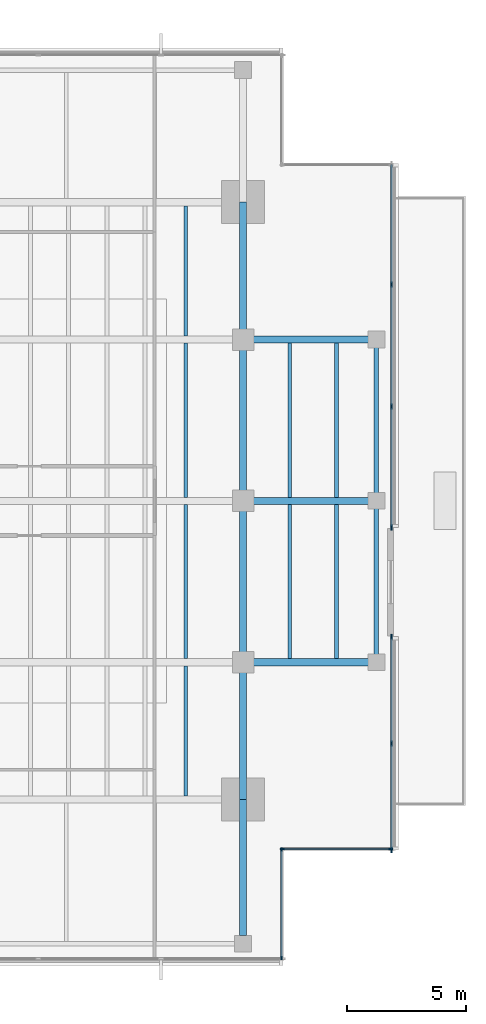
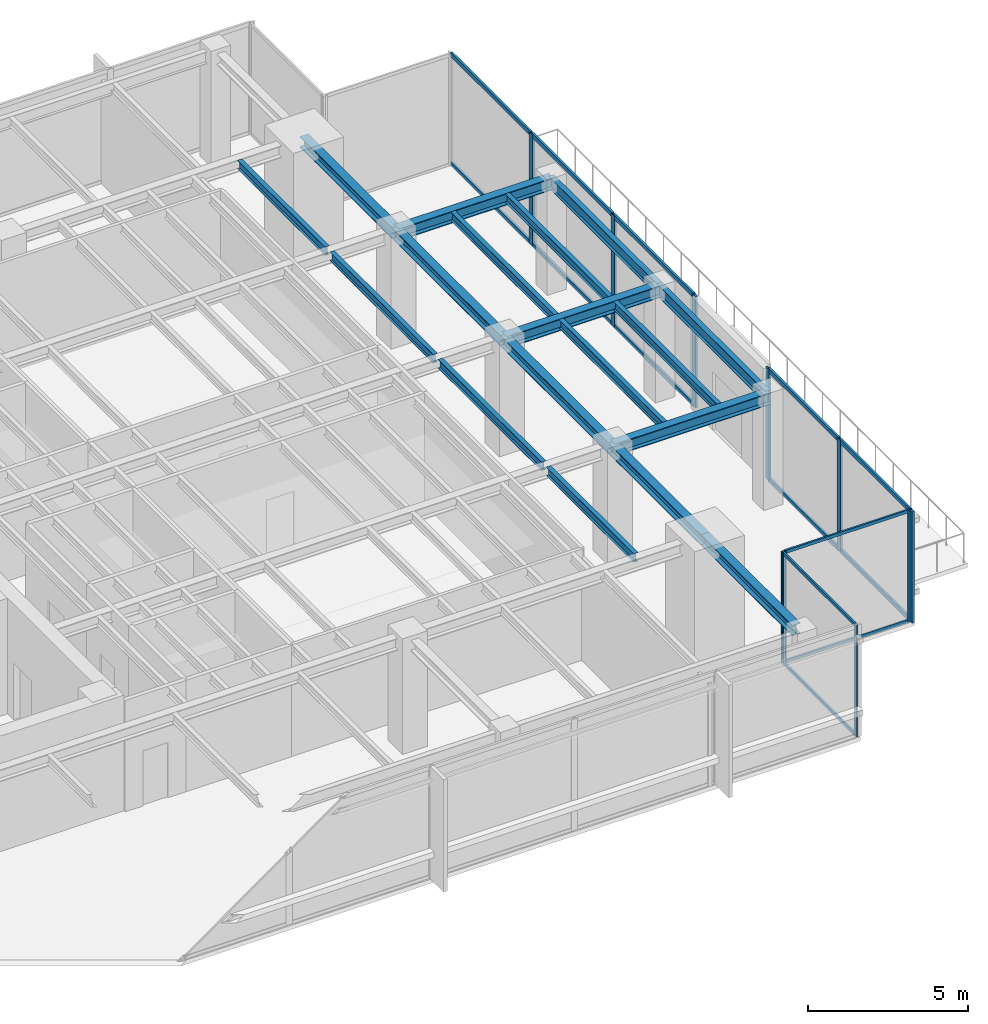
# One storey, part 4 of 14: 24 members, 18 beams, 4 elements without a shape of their own.
"""IFC4 building model written with IfcOpenShell, lengths in metres."""

from ifc_helpers import new_model, si_unit, direction, frame, origin, origin_2d, place, context, subcontext, project, spatial, rectangle, i_section, extrude, material, layer, layer_set, material_profile, profile_set, type_object, element, aggregate, save


model = new_model("IFC4")

# Units and contexts
model_context = context("Model", 3, precision=1e-05, world=origin(), true_north=direction((0.0, 1.0)))
body_context = subcontext(model_context, "Body", "Model", "MODEL_VIEW")
ifc_project = project(units=[si_unit("LENGTHUNIT", "METRE"), si_unit("AREAUNIT", "SQUARE_METRE"), si_unit("VOLUMEUNIT", "CUBIC_METRE"), si_unit("PLANEANGLEUNIT", "RADIAN"), si_unit("MASSUNIT", "GRAM", prefix="KILO")], contexts=[model_context])

# Site, building, storey
site_placement = place(None, origin())
site = spatial("IfcSite", under=ifc_project, at=site_placement, CompositionType="ELEMENT")
building_placement = place(site_placement, origin())
building = spatial("IfcBuilding", under=site, at=building_placement, Name="Kinhvarn Gate Tower", CompositionType="ELEMENT")
storey_placement = place(building_placement, frame((0.0, 0.0, 244.85009765625)))
storey = spatial("IfcBuildingStorey", under=building, at=storey_placement, Name="L65", CompositionType="ELEMENT", Elevation=244.85009765625)

# Curtain wall, members
ifc_material_1 = material(Name="Anodised aluminium AW-6063", Category="aluminium")
ifc_layer_1 = layer(ifc_material_1, 0.179931640625)
ifc_layer_set_1 = layer_set([ifc_layer_1], Name="Anodised aluminium AW-6063")
curtain_wall_type_1 = type_object("IfcCurtainWallType", Name="CW-SYS-4", PredefinedType="NOTDEFINED", material=ifc_layer_set_1)
curtain_wall_1_placement = place(storey_placement, origin())
curtain_wall_1 = element("IfcCurtainWall", 1, at=curtain_wall_1_placement, inside=storey, type_object=curtain_wall_type_1, Name="Curtain Wall CW4 (L65)", PredefinedType="NOTDEFINED")
ifc_material_profile_1 = material_profile(ifc_material_1, rectangle(XDim=0.06494140625, YDim=0.159912109375, at=origin_2d()), Name="ALU 65x160")
ifc_profile_set_1 = profile_set([ifc_material_profile_1], Name="Anodised aluminium AW-6063")
member_type_1 = type_object("IfcMemberType", Name="CW-MUL-160", PredefinedType="MULLION", material=ifc_profile_set_1)
member_1_placement = place(storey_placement, frame((39.81005859375, 6.12255859375, 0.0), z_axis=(0.0, 0.0, 1.0), x_axis=(-1.0, 0.0, 0.0)))
member_1 = element("IfcMember", 2, at=member_1_placement, type_object=member_type_1, Name="CW4 mullion 1", PredefinedType="MULLION", context=body_context, shape_type="SweptSolid", body=[
    extrude(rectangle(XDim=0.06494140625, YDim=0.159912109375, at=origin_2d()), origin(), (0.0, 0.0, 1.0), 4.239990234375),
])
member_2_placement = place(storey_placement, frame((39.81005859375, 10.657470703125, 0.0), z_axis=(0.0, 0.0, 1.0), x_axis=(-1.0, 0.0, 0.0)))
member_2 = element("IfcMember", 3, at=member_2_placement, type_object=member_type_1, Name="CW4 mullion 2", PredefinedType="MULLION", context=body_context, shape_type="SweptSolid", body=[
    extrude(rectangle(XDim=0.06494140625, YDim=0.159912109375, at=origin_2d()), origin(), (0.0, 0.0, 1.0), 4.239990234375),
])

curtain_wall_2_placement = place(storey_placement, origin())
curtain_wall_2 = element("IfcCurtainWall", 4, at=curtain_wall_2_placement, inside=storey, type_object=curtain_wall_type_1, Name="Curtain Wall CW4 (L65)", PredefinedType="NOTDEFINED")
member_3_placement = place(storey_placement, frame((39.842529296875, 10.68994140625, 0.0), z_axis=(0.0, 0.0, 1.0), x_axis=(0.0, 1.0, 0.0)))
member_3 = element("IfcMember", 5, at=member_3_placement, type_object=member_type_1, Name="CW4 mullion 1", PredefinedType="MULLION", context=body_context, shape_type="SweptSolid", body=[
    extrude(rectangle(XDim=0.06494140625, YDim=0.159912109375, at=origin_2d()), origin(), (0.0, 0.0, 1.0), 4.239990234375),
])
member_4_placement = place(storey_placement, frame((44.37744140625, 10.68994140625, 0.0), z_axis=(0.0, 0.0, 1.0), x_axis=(0.0, 1.0, 0.0)))
member_4 = element("IfcMember", 6, at=member_4_placement, type_object=member_type_1, Name="CW4 mullion 2", PredefinedType="MULLION", context=body_context, shape_type="SweptSolid", body=[
    extrude(rectangle(XDim=0.06494140625, YDim=0.159912109375, at=origin_2d()), origin(), (0.0, 0.0, 1.0), 4.239990234375),
])

ifc_layer_2 = layer(ifc_material_1, 0.219970703125)
ifc_layer_set_2 = layer_set([ifc_layer_2], Name="Anodised aluminium AW-6063")
curtain_wall_type_2 = type_object("IfcCurtainWallType", Name="CW-SYS-5", PredefinedType="NOTDEFINED", material=ifc_layer_set_2)
curtain_wall_3_placement = place(storey_placement, origin())
curtain_wall_3 = element("IfcCurtainWall", 7, at=curtain_wall_3_placement, inside=storey, type_object=curtain_wall_type_2, Name="Curtain Wall CW5 (L65)", PredefinedType="NOTDEFINED")
ifc_material_profile_2 = material_profile(ifc_material_1, rectangle(XDim=0.080078125, YDim=0.219970703125, at=origin_2d()), Name="ALU 80x220")
ifc_profile_set_2 = profile_set([ifc_material_profile_2], Name="Anodised aluminium AW-6063")
member_type_2 = type_object("IfcMemberType", Name="CW-MUL-220", PredefinedType="MULLION", material=ifc_profile_set_2)
member_5_placement = place(storey_placement, frame((44.409912109375, 10.639892578125, 0.0), z_axis=(0.0, 0.0, 1.0), x_axis=(-1.0, 0.0, 0.0)))
member_5 = element("IfcMember", 8, at=member_5_placement, type_object=member_type_2, Name="CW5 mullion 1", PredefinedType="MULLION", context=body_context, shape_type="SweptSolid", body=[
    extrude(rectangle(XDim=0.080078125, YDim=0.219970703125, at=origin_2d()), origin(), (0.0, 0.0, 1.0), 4.239990234375),
])
member_6_placement = place(storey_placement, frame((44.409912109375, 15.10009765625, 0.0), z_axis=(0.0, 0.0, 1.0), x_axis=(-1.0, 0.0, 0.0)))
member_6 = element("IfcMember", 9, at=member_6_placement, type_object=member_type_2, Name="CW5 mullion 2", PredefinedType="MULLION", context=body_context, shape_type="SweptSolid", body=[
    extrude(rectangle(XDim=0.080078125, YDim=0.219970703125, at=origin_2d()), origin(), (0.0, 0.0, 1.0), 4.239990234375),
])
member_7_placement = place(storey_placement, frame((44.409912109375, 19.56005859375, 0.0), z_axis=(0.0, 0.0, 1.0), x_axis=(-1.0, 0.0, 0.0)))
member_7 = element("IfcMember", 10, at=member_7_placement, type_object=member_type_2, Name="CW5 mullion 3", PredefinedType="MULLION", context=body_context, shape_type="SweptSolid", body=[
    extrude(rectangle(XDim=0.080078125, YDim=0.219970703125, at=origin_2d()), origin(), (0.0, 0.0, 1.0), 4.239990234375),
])

curtain_wall_4_placement = place(storey_placement, origin())
curtain_wall_4 = element("IfcCurtainWall", 11, at=curtain_wall_4_placement, inside=storey, type_object=curtain_wall_type_2, Name="Curtain Wall CW5 (L65)", PredefinedType="NOTDEFINED")
member_8_placement = place(storey_placement, frame((44.409912109375, 24.139892578125, 0.0), z_axis=(0.0, 0.0, 1.0), x_axis=(-1.0, 0.0, 0.0)))
member_8 = element("IfcMember", 12, at=member_8_placement, type_object=member_type_2, Name="CW5 mullion 1", PredefinedType="MULLION", context=body_context, shape_type="SweptSolid", body=[
    extrude(rectangle(XDim=0.080078125, YDim=0.219970703125, at=origin_2d()), origin(), (0.0, 0.0, 1.0), 4.239990234375),
])
member_9_placement = place(storey_placement, frame((44.409912109375, 29.199951171875, 0.0), z_axis=(0.0, 0.0, 1.0), x_axis=(-1.0, 0.0, 0.0)))
member_9 = element("IfcMember", 13, at=member_9_placement, type_object=member_type_2, Name="CW5 mullion 2", PredefinedType="MULLION", context=body_context, shape_type="SweptSolid", body=[
    extrude(rectangle(XDim=0.080078125, YDim=0.219970703125, at=origin_2d()), origin(), (0.0, 0.0, 1.0), 4.239990234375),
])
member_10_placement = place(storey_placement, frame((44.409912109375, 34.300048828125, 0.0), z_axis=(0.0, 0.0, 1.0), x_axis=(-1.0, 0.0, 0.0)))
member_10 = element("IfcMember", 14, at=member_10_placement, type_object=member_type_2, Name="CW5 mullion 3", PredefinedType="MULLION", context=body_context, shape_type="SweptSolid", body=[
    extrude(rectangle(XDim=0.080078125, YDim=0.219970703125, at=origin_2d()), origin(), (0.0, 0.0, 1.0), 4.239990234375),
])

# Member
ifc_material_profile_3 = material_profile(ifc_material_1, rectangle(XDim=0.06494140625, YDim=0.1201171875, at=origin_2d()), Name="ALU 65x120")
ifc_profile_set_3 = profile_set([ifc_material_profile_3], Name="Anodised aluminium AW-6063")
member_type_3 = type_object("IfcMemberType", Name="CW-TRN-120", PredefinedType="USERDEFINED", material=ifc_profile_set_3)
member_11_placement = place(storey_placement, frame((39.81005859375, 6.155029296875, 0.032470703125), z_axis=(0.0, 1.0, 0.0), x_axis=(-1.0, 0.0, 0.0)))
member_11 = element("IfcMember", 15, at=member_11_placement, type_object=member_type_3, Name="CW4 transom 1.1", ObjectType="TRANSOM", PredefinedType="USERDEFINED", context=body_context, shape_type="SweptSolid", body=[
    extrude(rectangle(XDim=0.06494140625, YDim=0.1201171875, at=origin_2d()), origin(), (0.0, 0.0, 1.0), 4.469970703125),
])

member_12_placement = place(storey_placement, frame((39.81005859375, 6.155029296875, 4.20751953125), z_axis=(0.0, 1.0, 0.0), x_axis=(-1.0, 0.0, 0.0)))
member_12 = element("IfcMember", 16, at=member_12_placement, type_object=member_type_3, Name="CW4 transom 1.2", ObjectType="TRANSOM", PredefinedType="USERDEFINED", context=body_context, shape_type="SweptSolid", body=[
    extrude(rectangle(XDim=0.06494140625, YDim=0.1201171875, at=origin_2d()), origin(), (0.0, 0.0, 1.0), 4.469970703125),
])

aggregate(curtain_wall_1, [member_1, member_2, member_11, member_12])

member_13_placement = place(storey_placement, frame((39.875, 10.68994140625, 0.032470703125), z_axis=(1.0, 0.0, 0.0), x_axis=(0.0, 1.0, 0.0)))
member_13 = element("IfcMember", 17, at=member_13_placement, type_object=member_type_3, Name="CW4 transom 1.1", ObjectType="TRANSOM", PredefinedType="USERDEFINED", context=body_context, shape_type="SweptSolid", body=[
    extrude(rectangle(XDim=0.06494140625, YDim=0.1201171875, at=origin_2d()), origin(), (0.0, 0.0, 1.0), 4.469970703125),
])

member_14_placement = place(storey_placement, frame((39.875, 10.68994140625, 4.20751953125), z_axis=(1.0, 0.0, 0.0), x_axis=(0.0, 1.0, 0.0)))
member_14 = element("IfcMember", 18, at=member_14_placement, type_object=member_type_3, Name="CW4 transom 1.2", ObjectType="TRANSOM", PredefinedType="USERDEFINED", context=body_context, shape_type="SweptSolid", body=[
    extrude(rectangle(XDim=0.06494140625, YDim=0.1201171875, at=origin_2d()), origin(), (0.0, 0.0, 1.0), 4.469970703125),
])

aggregate(curtain_wall_2, [member_3, member_4, member_13, member_14])

ifc_material_profile_4 = material_profile(ifc_material_1, rectangle(XDim=0.080078125, YDim=0.159912109375, at=origin_2d()), Name="ALU 80x160")
ifc_profile_set_4 = profile_set([ifc_material_profile_4], Name="Anodised aluminium AW-6063")
member_type_4 = type_object("IfcMemberType", Name="CW-TRN-160", PredefinedType="USERDEFINED", material=ifc_profile_set_4)
member_15_placement = place(storey_placement, frame((44.409912109375, 10.679931640625, 0.039794921875), z_axis=(0.0, 1.0, 0.0), x_axis=(-1.0, 0.0, 0.0)))
member_15 = element("IfcMember", 19, at=member_15_placement, type_object=member_type_4, Name="CW5 transom 1.1", ObjectType="TRANSOM", PredefinedType="USERDEFINED", context=body_context, shape_type="SweptSolid", body=[
    extrude(rectangle(XDim=0.080078125, YDim=0.159912109375, at=origin_2d()), origin(), (0.0, 0.0, 1.0), 4.380126953125),
])

member_16_placement = place(storey_placement, frame((44.409912109375, 10.679931640625, 4.199951171875), z_axis=(0.0, 1.0, 0.0), x_axis=(-1.0, 0.0, 0.0)))
member_16 = element("IfcMember", 20, at=member_16_placement, type_object=member_type_4, Name="CW5 transom 1.2", ObjectType="TRANSOM", PredefinedType="USERDEFINED", context=body_context, shape_type="SweptSolid", body=[
    extrude(rectangle(XDim=0.080078125, YDim=0.159912109375, at=origin_2d()), origin(), (0.0, 0.0, 1.0), 4.380126953125),
])

member_17_placement = place(storey_placement, frame((44.409912109375, 15.139892578125, 0.039794921875), z_axis=(0.0, 1.0, 0.0), x_axis=(-1.0, 0.0, 0.0)))
member_17 = element("IfcMember", 21, at=member_17_placement, type_object=member_type_4, Name="CW5 transom 2.1", ObjectType="TRANSOM", PredefinedType="USERDEFINED", context=body_context, shape_type="SweptSolid", body=[
    extrude(rectangle(XDim=0.080078125, YDim=0.159912109375, at=origin_2d()), origin(), (0.0, 0.0, 1.0), 4.380126953125),
])

member_18_placement = place(storey_placement, frame((44.409912109375, 15.139892578125, 4.199951171875), z_axis=(0.0, 1.0, 0.0), x_axis=(-1.0, 0.0, 0.0)))
member_18 = element("IfcMember", 22, at=member_18_placement, type_object=member_type_4, Name="CW5 transom 2.2", ObjectType="TRANSOM", PredefinedType="USERDEFINED", context=body_context, shape_type="SweptSolid", body=[
    extrude(rectangle(XDim=0.080078125, YDim=0.159912109375, at=origin_2d()), origin(), (0.0, 0.0, 1.0), 4.380126953125),
])

aggregate(curtain_wall_3, [member_5, member_6, member_7, member_15, member_16, member_17, member_18])

member_19_placement = place(storey_placement, frame((44.409912109375, 24.179931640625, 0.039794921875), z_axis=(0.0, 1.0, 0.0), x_axis=(-1.0, 0.0, 0.0)))
member_19 = element("IfcMember", 23, at=member_19_placement, type_object=member_type_4, Name="CW5 transom 1.1", ObjectType="TRANSOM", PredefinedType="USERDEFINED", context=body_context, shape_type="SweptSolid", body=[
    extrude(rectangle(XDim=0.080078125, YDim=0.159912109375, at=origin_2d()), origin(), (0.0, 0.0, 1.0), 4.97998046875),
])

member_20_placement = place(storey_placement, frame((44.409912109375, 24.179931640625, 4.199951171875), z_axis=(0.0, 1.0, 0.0), x_axis=(-1.0, 0.0, 0.0)))
member_20 = element("IfcMember", 24, at=member_20_placement, type_object=member_type_4, Name="CW5 transom 1.2", ObjectType="TRANSOM", PredefinedType="USERDEFINED", context=body_context, shape_type="SweptSolid", body=[
    extrude(rectangle(XDim=0.080078125, YDim=0.159912109375, at=origin_2d()), origin(), (0.0, 0.0, 1.0), 4.97998046875),
])

member_21_placement = place(storey_placement, frame((44.409912109375, 29.239990234375, 0.039794921875), z_axis=(0.0, 1.0, 0.0), x_axis=(-1.0, 0.0, 0.0)))
member_21 = element("IfcMember", 25, at=member_21_placement, type_object=member_type_4, Name="CW5 transom 2.1", ObjectType="TRANSOM", PredefinedType="USERDEFINED", context=body_context, shape_type="SweptSolid", body=[
    extrude(rectangle(XDim=0.080078125, YDim=0.159912109375, at=origin_2d()), origin(), (0.0, 0.0, 1.0), 5.02001953125),
])

member_22_placement = place(storey_placement, frame((44.409912109375, 29.239990234375, 4.199951171875), z_axis=(0.0, 1.0, 0.0), x_axis=(-1.0, 0.0, 0.0)))
member_22 = element("IfcMember", 26, at=member_22_placement, type_object=member_type_4, Name="CW5 transom 2.2", ObjectType="TRANSOM", PredefinedType="USERDEFINED", context=body_context, shape_type="SweptSolid", body=[
    extrude(rectangle(XDim=0.080078125, YDim=0.159912109375, at=origin_2d()), origin(), (0.0, 0.0, 1.0), 5.02001953125),
])

member_23_placement = place(storey_placement, frame((44.409912109375, 34.340087890625, 0.039794921875), z_axis=(0.0, 1.0, 0.0), x_axis=(-1.0, 0.0, 0.0)))
member_23 = element("IfcMember", 27, at=member_23_placement, type_object=member_type_4, Name="CW5 transom 3.1", ObjectType="TRANSOM", PredefinedType="USERDEFINED", context=body_context, shape_type="SweptSolid", body=[
    extrude(rectangle(XDim=0.080078125, YDim=0.159912109375, at=origin_2d()), origin(), (0.0, 0.0, 1.0), 4.97998046875),
])

member_24_placement = place(storey_placement, frame((44.409912109375, 34.340087890625, 4.199951171875), z_axis=(0.0, 1.0, 0.0), x_axis=(-1.0, 0.0, 0.0)))
member_24 = element("IfcMember", 28, at=member_24_placement, type_object=member_type_4, Name="CW5 transom 3.2", ObjectType="TRANSOM", PredefinedType="USERDEFINED", context=body_context, shape_type="SweptSolid", body=[
    extrude(rectangle(XDim=0.080078125, YDim=0.159912109375, at=origin_2d()), origin(), (0.0, 0.0, 1.0), 4.97998046875),
])

aggregate(curtain_wall_4, [member_8, member_9, member_10, member_19, member_20, member_21, member_22, member_23, member_24])

# Beams
ifc_material_2 = material(Name="Steel S355", Category="steel")
ifc_material_profile_5 = material_profile(ifc_material_2, i_section(OverallWidth=0.300048828125, OverallDepth=0.39990234375, WebThickness=0.013427734375, FlangeThickness=0.02392578125, at=origin_2d()), Name="HEB 400")
ifc_profile_set_5 = profile_set([ifc_material_profile_5], Name="Steel S355")
beam_type_1 = type_object("IfcBeamType", Name="STL-HEB400", PredefinedType="BEAM", material=ifc_profile_set_5)
beam_1_placement = place(storey_placement, frame((38.199951171875, 7.054931640625, 4.039794921875), z_axis=(0.0, 1.0, 0.0), x_axis=(-1.0, 0.0, 0.0)))
element("IfcBeam", 29, at=beam_1_placement, inside=storey, type_object=beam_type_1, Name="Floor Beam PG-12 (L65 MCE-S)", PredefinedType="BEAM", context=body_context, shape_type="SweptSolid", body=[
    extrude(i_section(OverallWidth=0.300048828125, OverallDepth=0.39990234375, WebThickness=0.013427734375, FlangeThickness=0.02392578125, at=origin_2d()), origin(), (0.0, 0.0, 1.0), 5.695068359375),
])
beam_2_placement = place(storey_placement, frame((38.199951171875, 12.75, 4.039794921875), z_axis=(0.0, 1.0, 0.0), x_axis=(-1.0, 0.0, 0.0)))
element("IfcBeam", 30, at=beam_2_placement, inside=storey, type_object=beam_type_1, Name="Floor Beam PG-12 (L65 MG-E-12)", PredefinedType="BEAM", context=body_context, shape_type="SweptSolid", body=[
    extrude(i_section(OverallWidth=0.300048828125, OverallDepth=0.39990234375, WebThickness=0.013427734375, FlangeThickness=0.02392578125, at=origin_2d()), origin(), (0.0, 0.0, 1.0), 5.75),
])
for number, where, z_axis, x_axis, name in (
    (31, (38.199951171875, 18.5, 4.039794921875), (0.0, 1.0, 0.0), (-1.0, 0.0, 0.0), "Floor Beam PG-12 (L65 MG-E-18)"),
    (32, (38.199951171875, 25.25, 4.039794921875), (0.0, 1.0, 0.0), (-1.0, 0.0, 0.0), "Floor Beam PG-12 (L65 MG-E-25)"),
):
    element("IfcBeam", number, at=place(storey_placement, frame(where, z_axis=z_axis, x_axis=x_axis)), inside=storey, type_object=beam_type_1, Name=name, PredefinedType="BEAM", context=body_context, shape_type="SweptSolid", body=[
        extrude(i_section(OverallWidth=0.300048828125, OverallDepth=0.39990234375, WebThickness=0.013427734375, FlangeThickness=0.02392578125, at=origin_2d()), origin(), (0.0, 0.0, 1.0), 6.75),
    ])
beam_3_placement = place(storey_placement, frame((38.199951171875, 32.0, 4.039794921875), z_axis=(0.0, 1.0, 0.0), x_axis=(-1.0, 0.0, 0.0)))
element("IfcBeam", 33, at=beam_3_placement, inside=storey, type_object=beam_type_1, Name="Floor Beam PG-12 (L65 MG-E-32)", PredefinedType="BEAM", context=body_context, shape_type="SweptSolid", body=[
    extrude(i_section(OverallWidth=0.300048828125, OverallDepth=0.39990234375, WebThickness=0.013427734375, FlangeThickness=0.02392578125, at=origin_2d()), origin(), (0.0, 0.0, 1.0), 5.75),
])
ifc_material_profile_6 = material_profile(ifc_material_2, i_section(OverallWidth=0.300048828125, OverallDepth=0.449951171875, WebThickness=0.013916015625, FlangeThickness=0.02587890625, at=origin_2d()), Name="HEB 450")
ifc_profile_set_6 = profile_set([ifc_material_profile_6], Name="Steel S355")
beam_type_2 = type_object("IfcBeamType", Name="STL-HEB450", PredefinedType="BEAM", material=ifc_profile_set_6)
for number, where, z_axis, x_axis, name in (
    (34, (38.199951171875, 18.5, 4.014892578125), (1.0, 0.0, 0.0), (0.0, 1.0, 0.0), "Floor Beam PG-13 (L65 EW2-Y18)"),
    (35, (38.199951171875, 25.25, 4.014892578125), (1.0, 0.0, 0.0), (0.0, 1.0, 0.0), "Floor Beam PG-13 (L65 EW2-Y25)"),
    (36, (38.199951171875, 32.0, 4.014892578125), (1.0, 0.0, 0.0), (0.0, 1.0, 0.0), "Floor Beam PG-13 (L65 EW2-Y32)"),
):
    element("IfcBeam", number, at=place(storey_placement, frame(where, z_axis=z_axis, x_axis=x_axis)), inside=storey, type_object=beam_type_2, Name=name, PredefinedType="BEAM", context=body_context, shape_type="SweptSolid", body=[
        extrude(i_section(OverallWidth=0.300048828125, OverallDepth=0.449951171875, WebThickness=0.013916015625, FlangeThickness=0.02587890625, at=origin_2d()), origin(), (0.0, 0.0, 1.0), 5.580078125),
    ])
ifc_material_profile_7 = material_profile(ifc_material_2, i_section(OverallWidth=0.159912109375, OverallDepth=0.330078125, WebThickness=0.007568359375, FlangeThickness=0.011474609375, at=origin_2d()), Name="IPE 330")
ifc_profile_set_7 = profile_set([ifc_material_profile_7], Name="Steel S355")
beam_type_3 = type_object("IfcBeamType", Name="STL-IPE330", PredefinedType="JOIST", material=ifc_profile_set_7)
beam_4_placement = place(storey_placement, frame((35.800048828125, 12.89990234375, 4.074951171875), z_axis=(0.0, 1.0, 0.0), x_axis=(-1.0, 0.0, 0.0)))
element("IfcBeam", 37, at=beam_4_placement, inside=storey, type_object=beam_type_3, Name="Floor Joist SB-03 (L65 JC-X358-0)", PredefinedType="JOIST", context=body_context, shape_type="SweptSolid", body=[
    extrude(i_section(OverallWidth=0.159912109375, OverallDepth=0.330078125, WebThickness=0.007568359375, FlangeThickness=0.011474609375, at=origin_2d()), origin(), (0.0, 0.0, 1.0), 5.4501953125),
])
for number, where, z_axis, x_axis, name in (
    (38, (35.800048828125, 18.64990234375, 4.074951171875), (0.0, 1.0, 0.0), (-1.0, 0.0, 0.0), "Floor Joist SB-03 (L65 JC-X358-1)"),
    (39, (35.800048828125, 25.39990234375, 4.074951171875), (0.0, 1.0, 0.0), (-1.0, 0.0, 0.0), "Floor Joist SB-03 (L65 JC-X358-2)"),
):
    element("IfcBeam", number, at=place(storey_placement, frame(where, z_axis=z_axis, x_axis=x_axis)), inside=storey, type_object=beam_type_3, Name=name, PredefinedType="JOIST", context=body_context, shape_type="SweptSolid", body=[
        extrude(i_section(OverallWidth=0.159912109375, OverallDepth=0.330078125, WebThickness=0.007568359375, FlangeThickness=0.011474609375, at=origin_2d()), origin(), (0.0, 0.0, 1.0), 6.4501953125),
    ])
beam_5_placement = place(storey_placement, frame((35.800048828125, 32.14990234375, 4.074951171875), z_axis=(0.0, 1.0, 0.0), x_axis=(-1.0, 0.0, 0.0)))
element("IfcBeam", 40, at=beam_5_placement, inside=storey, type_object=beam_type_3, Name="Floor Joist SB-03 (L65 JC-X358-3)", PredefinedType="JOIST", context=body_context, shape_type="SweptSolid", body=[
    extrude(i_section(OverallWidth=0.159912109375, OverallDepth=0.330078125, WebThickness=0.007568359375, FlangeThickness=0.011474609375, at=origin_2d()), origin(), (0.0, 0.0, 1.0), 5.4501953125),
])
for number, where, z_axis, x_axis, name in (
    (41, (40.14990234375, 18.64990234375, 4.074951171875), (0.0, 1.0, 0.0), (-1.0, 0.0, 0.0), "Floor Joist SB-03 (L65 JC-X401-1)"),
    (42, (40.14990234375, 25.39990234375, 4.074951171875), (0.0, 1.0, 0.0), (-1.0, 0.0, 0.0), "Floor Joist SB-03 (L65 JC-X401-2)"),
    (43, (42.110107421875, 18.64990234375, 4.074951171875), (0.0, 1.0, 0.0), (-1.0, 0.0, 0.0), "Floor Joist SB-03 (L65 JC-X421-1)"),
    (44, (42.110107421875, 25.39990234375, 4.074951171875), (0.0, 1.0, 0.0), (-1.0, 0.0, 0.0), "Floor Joist SB-03 (L65 JC-X421-2)"),
):
    element("IfcBeam", number, at=place(storey_placement, frame(where, z_axis=z_axis, x_axis=x_axis)), inside=storey, type_object=beam_type_3, Name=name, PredefinedType="JOIST", context=body_context, shape_type="SweptSolid", body=[
        extrude(i_section(OverallWidth=0.159912109375, OverallDepth=0.330078125, WebThickness=0.007568359375, FlangeThickness=0.011474609375, at=origin_2d()), origin(), (0.0, 0.0, 1.0), 6.4501953125),
    ])
ifc_material_profile_8 = material_profile(ifc_material_2, i_section(OverallWidth=0.18994140625, OverallDepth=0.449951171875, WebThickness=0.009521484375, FlangeThickness=0.0146484375, at=origin_2d()), Name="IPE 450")
ifc_profile_set_8 = profile_set([ifc_material_profile_8], Name="Steel S355")
beam_type_4 = type_object("IfcBeamType", Name="STL-IPE450", PredefinedType="JOIST", material=ifc_profile_set_8)
for number, where, z_axis, x_axis, name in (
    (45, (43.780029296875, 18.5, 4.014892578125), (0.0, 1.0, 0.0), (-1.0, 0.0, 0.0), "Floor Joist SB-06 (L65 SP-E2)"),
    (46, (43.780029296875, 25.25, 4.014892578125), (0.0, 1.0, 0.0), (-1.0, 0.0, 0.0), "Floor Joist SB-06 (L65 SP-E3)"),
):
    element("IfcBeam", number, at=place(storey_placement, frame(where, z_axis=z_axis, x_axis=x_axis)), inside=storey, type_object=beam_type_4, Name=name, PredefinedType="JOIST", context=body_context, shape_type="SweptSolid", body=[
        extrude(i_section(OverallWidth=0.18994140625, OverallDepth=0.449951171875, WebThickness=0.009521484375, FlangeThickness=0.0146484375, at=origin_2d()), origin(), (0.0, 0.0, 1.0), 6.75),
    ])

save(model, "model.ifc")
